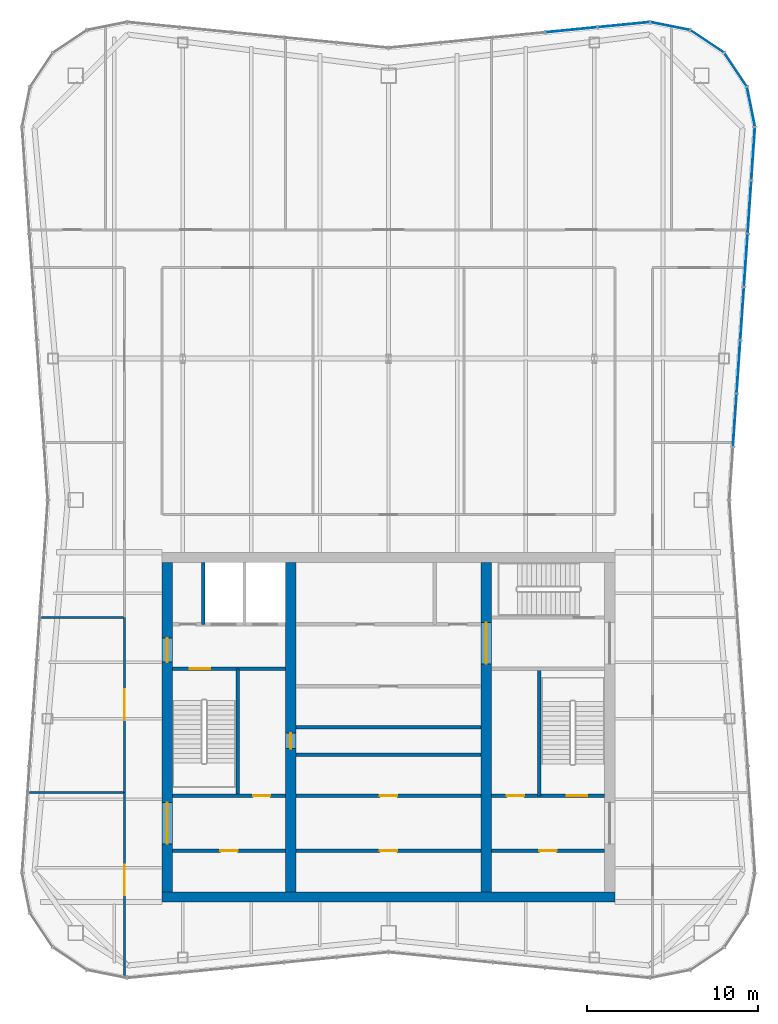
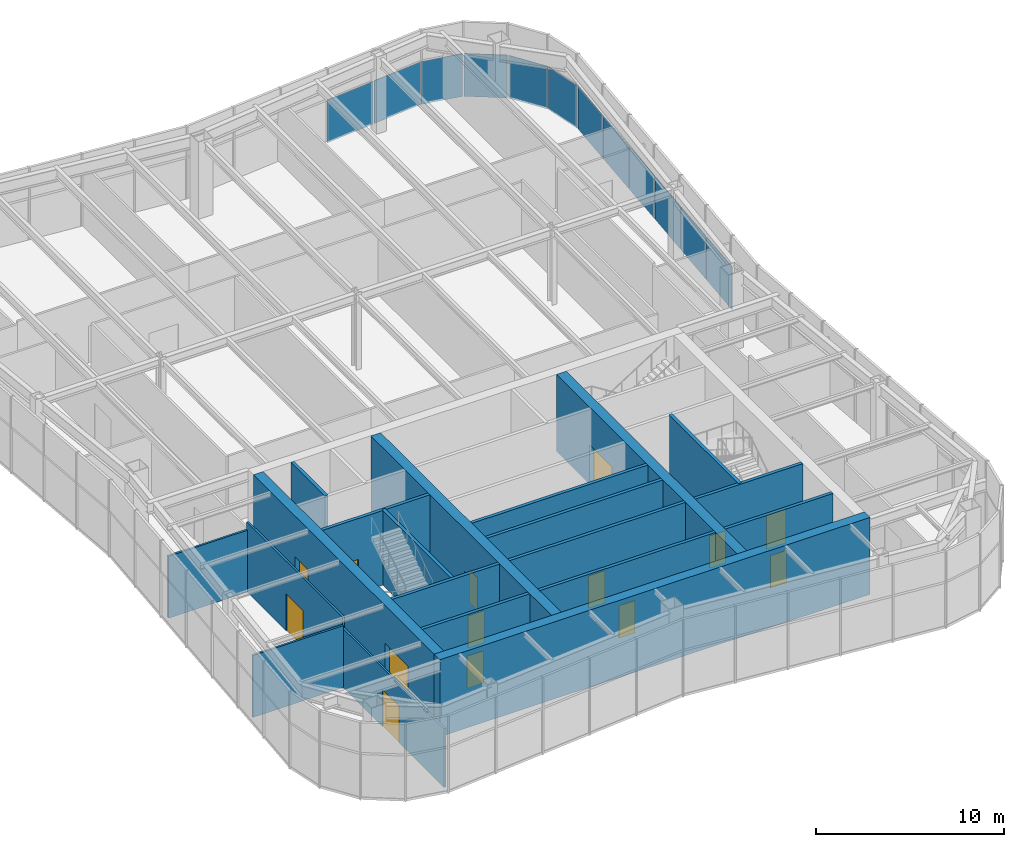
# One storey, part 9 of 13: 20 walls, 14 doors, 12 plates, 14 openings, 3 elements without a shape of their own.
"""IFC4 building model written with IfcOpenShell, lengths in metres."""

from ifc_helpers import new_model, si_unit, direction, frame, frame_2d, origin, origin_2d, place, context, subcontext, project, spatial, rectangle, extrude, material, layer, layer_set, type_object, element, fill, aggregate, save


model = new_model("IFC4")

# Units and contexts
model_context = context("Model", 3, precision=1e-05, world=origin(), true_north=direction((0.0, 1.0)))
body_context = subcontext(model_context, "Body", "Model", "MODEL_VIEW")
ifc_project = project(units=[si_unit("LENGTHUNIT", "METRE"), si_unit("AREAUNIT", "SQUARE_METRE"), si_unit("VOLUMEUNIT", "CUBIC_METRE"), si_unit("PLANEANGLEUNIT", "RADIAN"), si_unit("MASSUNIT", "GRAM", prefix="KILO")], contexts=[model_context])

# Site, building, storey
site_placement = place(None, origin())
site = spatial("IfcSite", under=ifc_project, at=site_placement, CompositionType="ELEMENT")
building_placement = place(site_placement, origin())
building = spatial("IfcBuilding", under=site, at=building_placement, Name="Verdant Reach Tower", CompositionType="ELEMENT")
storey_placement = place(building_placement, frame((0.0, 0.0, 349.5)))
storey = spatial("IfcBuildingStorey", under=building, at=storey_placement, Name="L79 Plant", CompositionType="ELEMENT", Elevation=349.5)

# Curtain wall, plates
ifc_material_1 = material(Name="Anodised aluminium", Category="aluminium")
curtain_wall_type = type_object("IfcCurtainWallType", Name="EN-CW SYSTEM PLANT", PredefinedType="NOTDEFINED", material=ifc_material_1)
curtain_wall_1_placement = place(storey_placement, origin())
curtain_wall_1 = element("IfcCurtainWall", 1, at=curtain_wall_1_placement, inside=storey, type_object=curtain_wall_type, Name="Curtain wall east, L79", PredefinedType="NOTDEFINED")
ifc_material_2 = material(Name="Bronze anodised aluminium solid panel", Category="aluminium")
ifc_layer_1 = layer(ifc_material_2, 0.0400390625)
ifc_layer_set_1 = layer_set([ifc_layer_1], Name="EN-PANEL SOLID")
plate_type = type_object("IfcPlateType", Name="EN-PANEL SOLID", PredefinedType="CURTAIN_PANEL", material=ifc_layer_set_1)
plate_1_placement = place(storey_placement, frame((20.190185546875, 45.902587890625, -0.199951171875), z_axis=(0.0, 0.0, 1.0), x_axis=(0.068802091615, 0.997630328423, 0.0)))
plate_1 = element("IfcPlate", 2, at=plate_1_placement, type_object=plate_type, Name="Solid panel east face part 2 2.1, L79", PredefinedType="CURTAIN_PANEL", context=body_context, shape_type="SweptSolid", body=[
    extrude(rectangle(XDim=3.03857421875, YDim=0.0400390625, at=origin_2d()), origin(), (0.0, 0.0, 1.0), 2.77490234375),
])
plate_2_placement = place(storey_placement, frame((20.404541015625, 49.009765625, -0.199951171875), z_axis=(0.0, 0.0, 1.0), x_axis=(0.068802091615, 0.997630328423, 0.0)))
plate_2 = element("IfcPlate", 3, at=plate_2_placement, type_object=plate_type, Name="Solid panel east face part 2 3.1, L79", PredefinedType="CURTAIN_PANEL", context=body_context, shape_type="SweptSolid", body=[
    extrude(rectangle(XDim=3.03857421875, YDim=0.0400390625, at=origin_2d()), origin(), (0.0, 0.0, 1.0), 2.77490234375),
])
plate_3_placement = place(storey_placement, frame((20.61865234375, 52.11669921875, -0.199951171875), z_axis=(0.0, 0.0, 1.0), x_axis=(0.068802091615, 0.997630328423, 0.0)))
plate_3 = element("IfcPlate", 4, at=plate_3_placement, type_object=plate_type, Name="Solid panel east face part 2 4.1, L79", PredefinedType="CURTAIN_PANEL", context=body_context, shape_type="SweptSolid", body=[
    extrude(rectangle(XDim=3.03857421875, YDim=0.0400390625, at=origin_2d()), origin(), (0.0, 0.0, 1.0), 2.77490234375),
])
plate_4_placement = place(storey_placement, frame((20.8330078125, 55.223876953125, -0.199951171875), z_axis=(0.0, 0.0, 1.0), x_axis=(0.068802091615, 0.997630328423, 0.0)))
plate_4 = element("IfcPlate", 5, at=plate_4_placement, type_object=plate_type, Name="Solid panel east face part 2 5.1, L79", PredefinedType="CURTAIN_PANEL", context=body_context, shape_type="SweptSolid", body=[
    extrude(rectangle(XDim=3.03857421875, YDim=0.0400390625, at=origin_2d()), origin(), (0.0, 0.0, 1.0), 2.77490234375),
])
plate_5_placement = place(storey_placement, frame((21.04736328125, 58.3310546875, -0.199951171875), z_axis=(0.0, 0.0, 1.0), x_axis=(0.068802091615, 0.997630328423, 0.0)))
plate_5 = element("IfcPlate", 6, at=plate_5_placement, type_object=plate_type, Name="Solid panel east face part 2 6.1, L79", PredefinedType="CURTAIN_PANEL", context=body_context, shape_type="SweptSolid", body=[
    extrude(rectangle(XDim=3.03857421875, YDim=0.0400390625, at=origin_2d()), origin(), (0.0, 0.0, 1.0), 2.77490234375),
])
plate_6_placement = place(storey_placement, frame((21.261474609375, 61.446044921875, -0.199951171875), z_axis=(0.0, 0.0, 1.0), x_axis=(0.068469163133, 0.997653233193, 0.0)))
plate_6 = element("IfcPlate", 7, at=plate_6_placement, type_object=plate_type, Name="Solid panel east face part 2 7.1, L79", PredefinedType="CURTAIN_PANEL", context=body_context, shape_type="SweptSolid", body=[
    extrude(rectangle(XDim=3.05419921875, YDim=0.0400390625, at=origin_2d()), origin(), (0.0, 0.0, 1.0), 2.77490234375),
])
aggregate(curtain_wall_1, [plate_1, plate_2, plate_3, plate_4, plate_5, plate_6])

curtain_wall_2_placement = place(storey_placement, origin())
curtain_wall_2 = element("IfcCurtainWall", 8, at=curtain_wall_2_placement, inside=storey, type_object=curtain_wall_type, Name="Curtain wall north-east corner, L79", PredefinedType="NOTDEFINED")
plate_7_placement = place(storey_placement, frame((21.135986328125, 64.174560546875, -0.199951171875), z_axis=(0.0, 0.0, 1.0), x_axis=(-0.195592962334, 0.980685165119, 0.0)))
plate_7 = element("IfcPlate", 9, at=plate_7_placement, type_object=plate_type, Name="Solid panel north-east corner 1.1, L79", PredefinedType="CURTAIN_PANEL", context=body_context, shape_type="SweptSolid", body=[
    extrude(rectangle(XDim=2.303955078125, YDim=0.0400390625, at=origin_2d()), origin(), (0.0, 0.0, 1.0), 2.77490234375),
])
plate_8_placement = place(storey_placement, frame((20.239990234375, 66.334228515625, -0.199951171875), z_axis=(0.0, 0.0, 1.0), x_axis=(-0.555596466265, 0.83145208321, 0.0)))
plate_8 = element("IfcPlate", 10, at=plate_8_placement, type_object=plate_type, Name="Solid panel north-east corner 2.1, L79", PredefinedType="CURTAIN_PANEL", context=body_context, shape_type="SweptSolid", body=[
    extrude(rectangle(XDim=2.3115234375, YDim=0.0400390625, at=origin_2d()), origin(), (0.0, 0.0, 1.0), 2.77490234375),
])
plate_9_placement = place(storey_placement, frame((18.584228515625, 67.989990234375, -0.199951171875), z_axis=(0.0, 0.0, 1.0), x_axis=(-0.83145208321, 0.555596466265, 0.0)))
plate_9 = element("IfcPlate", 11, at=plate_9_placement, type_object=plate_type, Name="Solid panel north-east corner 3.1, L79", PredefinedType="CURTAIN_PANEL", context=body_context, shape_type="SweptSolid", body=[
    extrude(rectangle(XDim=2.3115234375, YDim=0.0400390625, at=origin_2d()), origin(), (0.0, 0.0, 1.0), 2.77490234375),
])
plate_10_placement = place(storey_placement, frame((16.423828125, 68.885986328125, -0.199951171875), z_axis=(0.0, 0.0, 1.0), x_axis=(-0.980705120874, 0.195492879387, 0.0)))
plate_10 = element("IfcPlate", 12, at=plate_10_placement, type_object=plate_type, Name="Solid panel north-east corner 4.1, L79", PredefinedType="CURTAIN_PANEL", context=body_context, shape_type="SweptSolid", body=[
    extrude(rectangle(XDim=2.3056640625, YDim=0.0400390625, at=origin_2d()), origin(), (0.0, 0.0, 1.0), 2.77490234375),
])
aggregate(curtain_wall_2, [plate_7, plate_8, plate_9, plate_10])

curtain_wall_3_placement = place(storey_placement, origin())
curtain_wall_3 = element("IfcCurtainWall", 13, at=curtain_wall_3_placement, inside=storey, type_object=curtain_wall_type, Name="Curtain wall north, L79", PredefinedType="NOTDEFINED")
plate_11_placement = place(storey_placement, frame((13.72216796875, 68.96875, -0.199951171875), z_axis=(0.0, 0.0, 1.0), x_axis=(-0.995238191716, -0.097472774402, 0.0)))
plate_11 = element("IfcPlate", 14, at=plate_11_placement, type_object=plate_type, Name="Solid panel north face part 1 1.1, L79", PredefinedType="CURTAIN_PANEL", context=body_context, shape_type="SweptSolid", body=[
    extrude(rectangle(XDim=3.006103515625, YDim=0.0400390625, at=origin_2d()), origin(), (0.0, 0.0, 1.0), 2.77490234375),
])
plate_12_placement = place(storey_placement, frame((10.663330078125, 68.66845703125, -0.199951171875), z_axis=(0.0, 0.0, 1.0), x_axis=(-0.995197410875, -0.09788826992, 0.0)))
plate_12 = element("IfcPlate", 15, at=plate_12_placement, type_object=plate_type, Name="Solid panel north face part 1 2.1, L79", PredefinedType="CURTAIN_PANEL", context=body_context, shape_type="SweptSolid", body=[
    extrude(rectangle(XDim=2.98876953125, YDim=0.0400390625, at=origin_2d()), origin(), (0.0, 0.0, 1.0), 2.77490234375),
])
aggregate(curtain_wall_3, [plate_11, plate_12])

# Wall, opening, door
ifc_material_3 = material(Name="Gypsum board on steel studs", Category="steel")
ifc_layer_2 = layer(ifc_material_3, 0.199951171875)
ifc_layer_set_2 = layer_set([ifc_layer_2], Name="CO-WALL-ROOM")
wall_type_1 = type_object("IfcWallType", Name="CO-WALL-ROOM", PredefinedType="PARTITIONING", material=ifc_layer_set_2)
wall_1_placement = place(storey_placement, frame((-12.60009765625, 20.800048828125, 0.0), z_axis=(0.0, 0.0, 1.0), x_axis=(1.0, 0.0, 0.0)))
wall_1 = element("IfcWall", 16, at=wall_1_placement, inside=storey, type_object=wall_type_1, Name="Core partition, L79 Plant", PredefinedType="PARTITIONING", context=body_context, shape_type="SweptSolid", body=[
    extrude(rectangle(XDim=6.60009765625, YDim=0.199951171875, at=frame_2d((3.300048828125, 0.0))), origin(), (0.0, 0.0, 1.0), 4.85009765625),
])
opening_1_placement = place(wall_1_placement, frame((2.800048828125, 0.0, 0.0)))
opening_1 = element("IfcOpeningElement", 17, at=opening_1_placement, cuts=wall_1, Name="Opening CD", PredefinedType="OPENING", context=body_context, shape_type="SweptSolid", body=[
    extrude(rectangle(XDim=1.0, YDim=2.10009765625, at=frame_2d((0.5, 1.050048828125))), frame((0.0, 0.10986328125, 0.0), z_axis=(0.0, -1.0, 0.0), x_axis=(1.0, 0.0, 0.0)), (0.0, 0.0, 1.0), 0.219970703125),
])
ifc_material_4 = material(Name="Timber", Category="wood")
door_type_1 = type_object("IfcDoorType", Name="CO-DOOR-ROOM", OperationType="NOTDEFINED", PredefinedType="DOOR", material=ifc_material_4)
door_1_placement = place(opening_1_placement, origin())
door_1 = element("IfcDoor", 18, at=door_1_placement, inside=storey, type_object=door_type_1, Name="Core room door, L79 Plant", OperationType="SINGLE_SWING_RIGHT", OverallHeight=2.10009765625, OverallWidth=1.0, PredefinedType="DOOR", context=body_context, shape_type="SweptSolid", body=[
    extrude(rectangle(XDim=1.0, YDim=2.10009765625, at=frame_2d((0.5, 1.050048828125))), frame((0.0, 0.02490234375, 0.0), z_axis=(0.0, -1.0, 0.0), x_axis=(1.0, 0.0, 0.0)), (0.0, 0.0, 1.0), 0.050048828125),
])
fill(opening_1, door_1)

wall_2_placement = place(storey_placement, frame((-5.39990234375, 20.800048828125, 0.0), z_axis=(0.0, 0.0, 1.0), x_axis=(1.0, 0.0, 0.0)))
wall_2 = element("IfcWall", 19, at=wall_2_placement, inside=storey, type_object=wall_type_1, Name="Core partition, L79 Plant", PredefinedType="PARTITIONING", context=body_context, shape_type="SweptSolid", body=[
    extrude(rectangle(XDim=10.7998046875, YDim=0.199951171875, at=frame_2d((5.39990234375, 0.0))), origin(), (0.0, 0.0, 1.0), 4.85009765625),
])
opening_2_placement = place(wall_2_placement, frame((4.89990234375, 0.0, 0.0)))
opening_2 = element("IfcOpeningElement", 20, at=opening_2_placement, cuts=wall_2, Name="Opening CD", PredefinedType="OPENING", context=body_context, shape_type="SweptSolid", body=[
    extrude(rectangle(XDim=1.0, YDim=2.10009765625, at=frame_2d((0.5, 1.050048828125))), frame((0.0, 0.10986328125, 0.0), z_axis=(0.0, -1.0, 0.0), x_axis=(1.0, 0.0, 0.0)), (0.0, 0.0, 1.0), 0.219970703125),
])
door_2_placement = place(opening_2_placement, origin())
door_2 = element("IfcDoor", 21, at=door_2_placement, inside=storey, type_object=door_type_1, Name="Core room door, L79 Plant", OperationType="SINGLE_SWING_LEFT", OverallHeight=2.10009765625, OverallWidth=1.0, PredefinedType="DOOR", context=body_context, shape_type="SweptSolid", body=[
    extrude(rectangle(XDim=1.0, YDim=2.10009765625, at=frame_2d((0.5, 1.050048828125))), frame((0.0, 0.02490234375, 0.0), z_axis=(0.0, -1.0, 0.0), x_axis=(1.0, 0.0, 0.0)), (0.0, 0.0, 1.0), 0.050048828125),
])
fill(opening_2, door_2)

wall_3_placement = place(storey_placement, frame((6.0, 20.800048828125, 0.0), z_axis=(0.0, 0.0, 1.0), x_axis=(1.0, 0.0, 0.0)))
wall_3 = element("IfcWall", 22, at=wall_3_placement, inside=storey, type_object=wall_type_1, Name="Core partition, L79 Plant", PredefinedType="PARTITIONING", context=body_context, shape_type="SweptSolid", body=[
    extrude(rectangle(XDim=6.60009765625, YDim=0.199951171875, at=frame_2d((3.300048828125, 0.0))), origin(), (0.0, 0.0, 1.0), 4.85009765625),
])
opening_3_placement = place(wall_3_placement, frame((2.800048828125, 0.0, 0.0)))
opening_3 = element("IfcOpeningElement", 23, at=opening_3_placement, cuts=wall_3, Name="Opening CD", PredefinedType="OPENING", context=body_context, shape_type="SweptSolid", body=[
    extrude(rectangle(XDim=1.0, YDim=2.10009765625, at=frame_2d((0.5, 1.050048828125))), frame((0.0, 0.10986328125, 0.0), z_axis=(0.0, -1.0, 0.0), x_axis=(1.0, 0.0, 0.0)), (0.0, 0.0, 1.0), 0.219970703125),
])
door_3_placement = place(opening_3_placement, origin())
door_3 = element("IfcDoor", 24, at=door_3_placement, inside=storey, type_object=door_type_1, Name="Core room door, L79 Plant", OperationType="SINGLE_SWING_LEFT", OverallHeight=2.10009765625, OverallWidth=1.0, PredefinedType="DOOR", context=body_context, shape_type="SweptSolid", body=[
    extrude(rectangle(XDim=1.0, YDim=2.10009765625, at=frame_2d((0.5, 1.050048828125))), frame((0.0, 0.02490234375, 0.0), z_axis=(0.0, -1.0, 0.0), x_axis=(1.0, 0.0, 0.0)), (0.0, 0.0, 1.0), 0.050048828125),
])
fill(opening_3, door_3)

wall_4_placement = place(storey_placement, frame((-5.39990234375, 24.0, 0.0), z_axis=(0.0, 0.0, 1.0), x_axis=(1.0, 0.0, 0.0)))
wall_4 = element("IfcWall", 25, at=wall_4_placement, inside=storey, type_object=wall_type_1, Name="Core partition, L79 Plant", PredefinedType="PARTITIONING", context=body_context, shape_type="SweptSolid", body=[
    extrude(rectangle(XDim=10.7998046875, YDim=0.199951171875, at=frame_2d((5.39990234375, 0.0))), origin(), (0.0, 0.0, 1.0), 4.85009765625),
])
opening_4_placement = place(wall_4_placement, frame((4.89990234375, 0.0, 0.0)))
opening_4 = element("IfcOpeningElement", 26, at=opening_4_placement, cuts=wall_4, Name="Opening CD", PredefinedType="OPENING", context=body_context, shape_type="SweptSolid", body=[
    extrude(rectangle(XDim=1.0, YDim=2.10009765625, at=frame_2d((0.5, 1.050048828125))), frame((0.0, 0.10986328125, 0.0), z_axis=(0.0, -1.0, 0.0), x_axis=(1.0, 0.0, 0.0)), (0.0, 0.0, 1.0), 0.219970703125),
])
door_4_placement = place(opening_4_placement, origin())
door_4 = element("IfcDoor", 27, at=door_4_placement, inside=storey, type_object=door_type_1, Name="Core room door, L79 Plant", OperationType="SINGLE_SWING_RIGHT", OverallHeight=2.10009765625, OverallWidth=1.0, PredefinedType="DOOR", context=body_context, shape_type="SweptSolid", body=[
    extrude(rectangle(XDim=1.0, YDim=2.10009765625, at=frame_2d((0.5, 1.050048828125))), frame((0.0, 0.02490234375, 0.0), z_axis=(0.0, -1.0, 0.0), x_axis=(1.0, 0.0, 0.0)), (0.0, 0.0, 1.0), 0.050048828125),
])
fill(opening_4, door_4)

# Walls
for number, where, z_axis, x_axis, name in (
    (28, (-5.39990234375, 26.39990234375, 0.0), (0.0, 0.0, 1.0), (1.0, 0.0, 0.0), "Core partition, L79 Plant"),
    (29, (-5.39990234375, 28.0, 0.0), (0.0, 0.0, 1.0), (1.0, 0.0, 0.0), "Core partition, L79 Plant"),
):
    element("IfcWall", number, at=place(storey_placement, frame(where, z_axis=z_axis, x_axis=x_axis)), inside=storey, type_object=wall_type_1, Name=name, PredefinedType="PARTITIONING", context=body_context, shape_type="SweptSolid", body=[
        extrude(rectangle(XDim=10.7998046875, YDim=0.199951171875, at=frame_2d((5.39990234375, 0.0))), origin(), (0.0, 0.0, 1.0), 4.85009765625),
    ])
ifc_material_5 = material(Name="Concrete C40/50", Category="concrete")
ifc_layer_3 = layer(ifc_material_5, 0.199951171875)
ifc_layer_set_3 = layer_set([ifc_layer_3], Name="CO-WALL-SHAFT")
wall_type_2 = type_object("IfcWallType", Name="CO-WALL-SHAFT", PredefinedType="PARTITIONING", material=ifc_layer_set_3)
wall_5_placement = place(storey_placement, frame((-10.800048828125, 34.0, 0.0), z_axis=(0.0, 0.0, 1.0), x_axis=(0.0, 1.0, 0.0)))
element("IfcWall", 30, at=wall_5_placement, inside=storey, type_object=wall_type_2, Name="Lift shaft wall, L79 Plant", PredefinedType="PARTITIONING", context=body_context, shape_type="SweptSolid", body=[
    extrude(rectangle(XDim=3.60009765625, YDim=0.199951171875, at=frame_2d((1.800048828125, 0.0))), origin(), (0.0, 0.0, 1.0), 4.85009765625),
])

# Wall, opening, door
ifc_layer_4 = layer(ifc_material_5, 0.199951171875)
ifc_layer_set_4 = layer_set([ifc_layer_4], Name="CO-WALL-STAIR")
wall_type_3 = type_object("IfcWallType", Name="CO-WALL-STAIR", PredefinedType="PARTITIONING", material=ifc_layer_set_4)
wall_6_placement = place(storey_placement, frame((-12.60009765625, 24.0, 0.0), z_axis=(0.0, 0.0, 1.0), x_axis=(1.0, 0.0, 0.0)))
wall_6 = element("IfcWall", 31, at=wall_6_placement, inside=storey, type_object=wall_type_3, Name="Stair enclosure wall, L79 Plant", PredefinedType="PARTITIONING", context=body_context, shape_type="SweptSolid", body=[
    extrude(rectangle(XDim=6.60009765625, YDim=0.199951171875, at=frame_2d((3.300048828125, 0.0))), origin(), (0.0, 0.0, 1.0), 4.85009765625),
])
opening_5_placement = place(wall_6_placement, frame((4.699951171875, 0.0, 0.0)))
opening_5 = element("IfcOpeningElement", 32, at=opening_5_placement, cuts=wall_6, Name="Opening CD", PredefinedType="OPENING", context=body_context, shape_type="SweptSolid", body=[
    extrude(rectangle(XDim=1.0, YDim=2.10009765625, at=frame_2d((0.5, 1.050048828125))), frame((0.0, 0.10986328125, 0.0), z_axis=(0.0, -1.0, 0.0), x_axis=(1.0, 0.0, 0.0)), (0.0, 0.0, 1.0), 0.219970703125),
])
door_5_placement = place(opening_5_placement, origin())
door_5 = element("IfcDoor", 33, at=door_5_placement, inside=storey, type_object=door_type_1, Name="Core room door, L79 Plant", OperationType="SINGLE_SWING_LEFT", OverallHeight=2.10009765625, OverallWidth=1.0, PredefinedType="DOOR", context=body_context, shape_type="SweptSolid", body=[
    extrude(rectangle(XDim=1.0, YDim=2.10009765625, at=frame_2d((0.5, 1.050048828125))), frame((0.0, 0.02490234375, 0.0), z_axis=(0.0, -1.0, 0.0), x_axis=(1.0, 0.0, 0.0)), (0.0, 0.0, 1.0), 0.050048828125),
])
fill(opening_5, door_5)

# Wall, openings, doors
wall_7_placement = place(storey_placement, frame((6.0, 24.0, 0.0), z_axis=(0.0, 0.0, 1.0), x_axis=(1.0, 0.0, 0.0)))
wall_7 = element("IfcWall", 34, at=wall_7_placement, inside=storey, type_object=wall_type_3, Name="Stair enclosure wall, L79 Plant", PredefinedType="PARTITIONING", context=body_context, shape_type="SweptSolid", body=[
    extrude(rectangle(XDim=6.60009765625, YDim=0.199951171875, at=frame_2d((3.300048828125, 0.0))), origin(), (0.0, 0.0, 1.0), 4.85009765625),
])
opening_6_placement = place(wall_7_placement, frame((0.89990234375, 0.0, 0.0)))
opening_6 = element("IfcOpeningElement", 35, at=opening_6_placement, cuts=wall_7, Name="Opening CD", PredefinedType="OPENING", context=body_context, shape_type="SweptSolid", body=[
    extrude(rectangle(XDim=1.0, YDim=2.10009765625, at=frame_2d((0.5, 1.050048828125))), frame((0.0, 0.10986328125, 0.0), z_axis=(0.0, -1.0, 0.0), x_axis=(1.0, 0.0, 0.0)), (0.0, 0.0, 1.0), 0.219970703125),
])
opening_7_placement = place(wall_7_placement, frame((4.39990234375, 0.0, 0.0)))
opening_7 = element("IfcOpeningElement", 36, at=opening_7_placement, cuts=wall_7, Name="Opening SD", PredefinedType="OPENING", context=body_context, shape_type="SweptSolid", body=[
    extrude(rectangle(XDim=1.199951171875, YDim=2.199951171875, at=frame_2d((0.60009765625, 1.10009765625))), frame((0.0, 0.10986328125, 0.0), z_axis=(0.0, -1.0, 0.0), x_axis=(1.0, 0.0, 0.0)), (0.0, 0.0, 1.0), 0.219970703125),
])
door_6_placement = place(opening_6_placement, origin())
door_6 = element("IfcDoor", 37, at=door_6_placement, inside=storey, type_object=door_type_1, Name="Core room door, L79 Plant", OperationType="SINGLE_SWING_RIGHT", OverallHeight=2.10009765625, OverallWidth=1.0, PredefinedType="DOOR", context=body_context, shape_type="SweptSolid", body=[
    extrude(rectangle(XDim=1.0, YDim=2.10009765625, at=frame_2d((0.5, 1.050048828125))), frame((0.0, 0.02490234375, 0.0), z_axis=(0.0, -1.0, 0.0), x_axis=(1.0, 0.0, 0.0)), (0.0, 0.0, 1.0), 0.050048828125),
])
fill(opening_6, door_6)
ifc_material_6 = material(Name="Steel", Category="steel")
door_type_2 = type_object("IfcDoorType", Name="CO-DOOR-STAIR", OperationType="NOTDEFINED", PredefinedType="DOOR", material=ifc_material_6)
door_7_placement = place(opening_7_placement, origin())
door_7 = element("IfcDoor", 38, at=door_7_placement, inside=storey, type_object=door_type_2, Name="Stair door, L79 Plant", OperationType="SINGLE_SWING_RIGHT", OverallHeight=2.199951171875, OverallWidth=1.199951171875, PredefinedType="DOOR", context=body_context, shape_type="SweptSolid", body=[
    extrude(rectangle(XDim=1.199951171875, YDim=2.199951171875, at=frame_2d((0.60009765625, 1.10009765625))), frame((0.0, 0.02490234375, 0.0), z_axis=(0.0, -1.0, 0.0), x_axis=(1.0, 0.0, 0.0)), (0.0, 0.0, 1.0), 0.050048828125),
])
fill(opening_7, door_7)

# Wall, opening, door
wall_8_placement = place(storey_placement, frame((-12.60009765625, 31.39990234375, 0.0), z_axis=(0.0, 0.0, 1.0), x_axis=(1.0, 0.0, 0.0)))
wall_8 = element("IfcWall", 39, at=wall_8_placement, inside=storey, type_object=wall_type_3, Name="Stair enclosure wall, L79 Plant", PredefinedType="PARTITIONING", context=body_context, shape_type="SweptSolid", body=[
    extrude(rectangle(XDim=6.60009765625, YDim=0.199951171875, at=frame_2d((3.300048828125, 0.0))), origin(), (0.0, 0.0, 1.0), 4.85009765625),
])
opening_8_placement = place(wall_8_placement, frame((1.0, 0.0, 0.0)))
opening_8 = element("IfcOpeningElement", 40, at=opening_8_placement, cuts=wall_8, Name="Opening SD", PredefinedType="OPENING", context=body_context, shape_type="SweptSolid", body=[
    extrude(rectangle(XDim=1.199951171875, YDim=2.199951171875, at=frame_2d((0.60009765625, 1.10009765625))), frame((0.0, 0.10986328125, 0.0), z_axis=(0.0, -1.0, 0.0), x_axis=(1.0, 0.0, 0.0)), (0.0, 0.0, 1.0), 0.219970703125),
])
door_8_placement = place(opening_8_placement, origin())
door_8 = element("IfcDoor", 41, at=door_8_placement, inside=storey, type_object=door_type_2, Name="Stair door, L79 Plant", OperationType="SINGLE_SWING_LEFT", OverallHeight=2.199951171875, OverallWidth=1.199951171875, PredefinedType="DOOR", context=body_context, shape_type="SweptSolid", body=[
    extrude(rectangle(XDim=1.199951171875, YDim=2.199951171875, at=frame_2d((0.60009765625, 1.10009765625))), frame((0.0, 0.02490234375, 0.0), z_axis=(0.0, -1.0, 0.0), x_axis=(1.0, 0.0, 0.0)), (0.0, 0.0, 1.0), 0.050048828125),
])
fill(opening_8, door_8)

# Walls
for number, where, z_axis, x_axis, name in (
    (42, (-8.800048828125, 24.0, 0.0), (0.0, 0.0, 1.0), (0.0, 1.0, 0.0), "Stair enclosure wall, L79 Plant"),
    (43, (8.800048828125, 24.0, 0.0), (0.0, 0.0, 1.0), (0.0, 1.0, 0.0), "Stair enclosure wall, L79 Plant"),
):
    element("IfcWall", number, at=place(storey_placement, frame(where, z_axis=z_axis, x_axis=x_axis)), inside=storey, type_object=wall_type_3, Name=name, PredefinedType="PARTITIONING", context=body_context, shape_type="SweptSolid", body=[
        extrude(rectangle(XDim=7.39990234375, YDim=0.199951171875, at=frame_2d((3.699951171875, 0.0))), origin(), (0.0, 0.0, 1.0), 4.85009765625),
    ])
ifc_material_7 = material(Name="Concrete C70/85", Category="concrete")
ifc_layer_5 = layer(ifc_material_7, 0.60009765625)
ifc_layer_set_5 = layer_set([ifc_layer_5], Name="ST-CORE-WALL-600")
wall_type_4 = type_object("IfcWallType", Name="ST-CORE-WALL-600", PredefinedType="SHEAR", material=ifc_layer_set_5)
wall_9_placement = place(storey_placement, frame((-13.199951171875, 18.10009765625, -0.14990234375), z_axis=(0.0, 0.0, 1.0), x_axis=(1.0, 0.0, 0.0)))
element("IfcWall", 44, at=wall_9_placement, inside=storey, type_object=wall_type_4, Name="Core wall S, L79 Plant", PredefinedType="SHEAR", context=body_context, shape_type="SweptSolid", body=[
    extrude(rectangle(XDim=26.39990234375, YDim=0.60009765625, at=frame_2d((13.199951171875, 0.0))), origin(), (0.0, 0.0, 1.0), 5.0),
])

# Wall, openings, doors
wall_10_placement = place(storey_placement, frame((-12.89990234375, 18.39990234375, -0.14990234375), z_axis=(0.0, 0.0, 1.0), x_axis=(0.0, 1.0, 0.0)))
wall_10 = element("IfcWall", 45, at=wall_10_placement, inside=storey, type_object=wall_type_4, Name="Core wall W, L79 Plant", PredefinedType="SHEAR", context=body_context, shape_type="SweptSolid", body=[
    extrude(rectangle(XDim=19.2001953125, YDim=0.60009765625, at=frame_2d((9.60009765625, 0.0))), origin(), (0.0, 0.0, 1.0), 5.0),
])
opening_9_placement = place(wall_10_placement, frame((2.800048828125, 0.0, 0.14990234375)))
opening_9 = element("IfcOpeningElement", 46, at=opening_9_placement, cuts=wall_10, Name="Opening LB", PredefinedType="OPENING", context=body_context, shape_type="SweptSolid", body=[
    extrude(rectangle(XDim=2.39990234375, YDim=2.39990234375, at=frame_2d((1.199951171875, 1.199951171875))), frame((0.0, 0.31005859375, 0.0), z_axis=(0.0, -1.0, 0.0), x_axis=(1.0, 0.0, 0.0)), (0.0, 0.0, 1.0), 0.6201171875),
])
opening_10_placement = place(wall_10_placement, frame((13.39990234375, 0.0, 0.14990234375)))
opening_10 = element("IfcOpeningElement", 47, at=opening_10_placement, cuts=wall_10, Name="Opening FL", PredefinedType="OPENING", context=body_context, shape_type="SweptSolid", body=[
    extrude(rectangle(XDim=1.39990234375, YDim=2.199951171875, at=frame_2d((0.699951171875, 1.10009765625))), frame((0.0, 0.31005859375, 0.0), z_axis=(0.0, -1.0, 0.0), x_axis=(1.0, 0.0, 0.0)), (0.0, 0.0, 1.0), 0.6201171875),
])
door_type_3 = type_object("IfcDoorType", Name="CO-DOOR-FFL", OperationType="NOTDEFINED", PredefinedType="DOOR", material=ifc_material_6)
door_9_placement = place(opening_10_placement, origin())
door_9 = element("IfcDoor", 48, at=door_9_placement, inside=storey, type_object=door_type_3, Name="Core entrance door, L79 Plant", OperationType="SINGLE_SWING_LEFT", OverallHeight=2.199951171875, OverallWidth=1.39990234375, PredefinedType="DOOR", context=body_context, shape_type="SweptSolid", body=[
    extrude(rectangle(XDim=1.39990234375, YDim=2.199951171875, at=frame_2d((0.699951171875, 1.10009765625))), frame((0.0, 0.02490234375, 0.0), z_axis=(0.0, -1.0, 0.0), x_axis=(1.0, 0.0, 0.0)), (0.0, 0.0, 1.0), 0.050048828125),
])
fill(opening_10, door_9)
ifc_material_8 = material(Name="Glass and steel", Category="steel")
door_type_4 = type_object("IfcDoorType", Name="CO-DOOR-LOBBY", OperationType="DOUBLE_DOOR_SINGLE_SWING", PredefinedType="DOOR", material=ifc_material_8)
door_10_placement = place(opening_9_placement, origin())
door_10 = element("IfcDoor", 49, at=door_10_placement, inside=storey, type_object=door_type_4, Name="Core entrance door, L79 Plant", OperationType="DOUBLE_DOOR_SINGLE_SWING", OverallHeight=2.39990234375, OverallWidth=2.39990234375, PredefinedType="DOOR", context=body_context, shape_type="SweptSolid", body=[
    extrude(rectangle(XDim=2.39990234375, YDim=2.39990234375, at=frame_2d((1.199951171875, 1.199951171875))), frame((0.0, 0.02490234375, 0.0), z_axis=(0.0, -1.0, 0.0), x_axis=(1.0, 0.0, 0.0)), (0.0, 0.0, 1.0), 0.050048828125),
])
fill(opening_9, door_10)

# Wall, opening, door
wall_11_placement = place(storey_placement, frame((-5.699951171875, 18.39990234375, -0.14990234375), z_axis=(0.0, 0.0, 1.0), x_axis=(0.0, 1.0, 0.0)))
wall_11 = element("IfcWall", 50, at=wall_11_placement, inside=storey, type_object=wall_type_4, Name="Core wall XW, L79 Plant", PredefinedType="SHEAR", context=body_context, shape_type="SweptSolid", body=[
    extrude(rectangle(XDim=19.2001953125, YDim=0.60009765625, at=frame_2d((9.60009765625, 0.0))), origin(), (0.0, 0.0, 1.0), 5.0),
])
opening_11_placement = place(wall_11_placement, frame((8.35009765625, 0.0, 0.14990234375)))
opening_11 = element("IfcOpeningElement", 51, at=opening_11_placement, cuts=wall_11, Name="Opening RD", PredefinedType="OPENING", context=body_context, shape_type="SweptSolid", body=[
    extrude(rectangle(XDim=0.89990234375, YDim=2.10009765625, at=frame_2d((0.449951171875, 1.050048828125))), frame((0.0, 0.31005859375, 0.0), z_axis=(0.0, -1.0, 0.0), x_axis=(1.0, 0.0, 0.0)), (0.0, 0.0, 1.0), 0.6201171875),
])
door_type_5 = type_object("IfcDoorType", Name="CO-DOOR-RISER", OperationType="NOTDEFINED", PredefinedType="DOOR", material=ifc_material_6)
door_11_placement = place(opening_11_placement, origin())
door_11 = element("IfcDoor", 52, at=door_11_placement, inside=storey, type_object=door_type_5, Name="Riser door, L79 Plant", OperationType="SINGLE_SWING_LEFT", OverallHeight=2.10009765625, OverallWidth=0.89990234375, PredefinedType="DOOR", context=body_context, shape_type="SweptSolid", body=[
    extrude(rectangle(XDim=0.89990234375, YDim=2.10009765625, at=frame_2d((0.449951171875, 1.050048828125))), frame((0.0, 0.02490234375, 0.0), z_axis=(0.0, -1.0, 0.0), x_axis=(1.0, 0.0, 0.0)), (0.0, 0.0, 1.0), 0.050048828125),
])
fill(opening_11, door_11)

wall_12_placement = place(storey_placement, frame((5.699951171875, 18.39990234375, -0.14990234375), z_axis=(0.0, 0.0, 1.0), x_axis=(0.0, 1.0, 0.0)))
wall_12 = element("IfcWall", 53, at=wall_12_placement, inside=storey, type_object=wall_type_4, Name="Core wall XE, L79 Plant", PredefinedType="SHEAR", context=body_context, shape_type="SweptSolid", body=[
    extrude(rectangle(XDim=19.2001953125, YDim=0.60009765625, at=frame_2d((9.60009765625, 0.0))), origin(), (0.0, 0.0, 1.0), 5.0),
])
opening_12_placement = place(wall_12_placement, frame((13.300048828125, 0.0, 0.14990234375)))
opening_12 = element("IfcOpeningElement", 54, at=opening_12_placement, cuts=wall_12, Name="Opening LB", PredefinedType="OPENING", context=body_context, shape_type="SweptSolid", body=[
    extrude(rectangle(XDim=2.39990234375, YDim=2.39990234375, at=frame_2d((1.199951171875, 1.199951171875))), frame((0.0, 0.31005859375, 0.0), z_axis=(0.0, -1.0, 0.0), x_axis=(1.0, 0.0, 0.0)), (0.0, 0.0, 1.0), 0.6201171875),
])
door_12_placement = place(opening_12_placement, origin())
door_12 = element("IfcDoor", 55, at=door_12_placement, inside=storey, type_object=door_type_4, Name="Core entrance door, L79 Plant", OperationType="DOUBLE_DOOR_SINGLE_SWING", OverallHeight=2.39990234375, OverallWidth=2.39990234375, PredefinedType="DOOR", context=body_context, shape_type="SweptSolid", body=[
    extrude(rectangle(XDim=2.39990234375, YDim=2.39990234375, at=frame_2d((1.199951171875, 1.199951171875))), frame((0.0, 0.02490234375, 0.0), z_axis=(0.0, -1.0, 0.0), x_axis=(1.0, 0.0, 0.0)), (0.0, 0.0, 1.0), 0.050048828125),
])
fill(opening_12, door_12)

ifc_material_9 = material(Name="Gypsum board on steel studs, fire rated", Category="steel")
ifc_layer_6 = layer(ifc_material_9, 0.125)
ifc_layer_set_6 = layer_set([ifc_layer_6], Name="SV-W2 Plant wall 125 EI 60")
wall_type_5 = type_object("IfcWallType", Name="SV-W2 Plant wall 125 EI 60", PredefinedType="PARTITIONING", material=ifc_layer_set_6)
wall_13_placement = place(storey_placement, frame((-15.39990234375, 24.199951171875, 0.0), z_axis=(0.0, 0.0, 1.0), x_axis=(0.0, -1.0, 0.0)))
wall_13 = element("IfcWall", 56, at=wall_13_placement, inside=storey, type_object=wall_type_5, Name="Partition L79.09", PredefinedType="PARTITIONING", context=body_context, shape_type="SweptSolid", body=[
    extrude(rectangle(XDim=10.750244140625, YDim=0.125, at=frame_2d((5.375, 0.0))), origin(), (0.0, 0.0, 1.0), 3.81201171875),
])
opening_13_placement = place(wall_13_placement, frame((4.20556640625, 0.0, 0.0)))
opening_13 = element("IfcOpeningElement", 57, at=opening_13_placement, cuts=wall_13, Name="Opening SD3", PredefinedType="OPENING", context=body_context, shape_type="SweptSolid", body=[
    extrude(rectangle(XDim=1.800048828125, YDim=2.39990234375, at=frame_2d((0.89990234375, 1.199951171875))), frame((0.0, 0.072509765625, 0.0), z_axis=(0.0, -1.0, 0.0), x_axis=(1.0, 0.0, 0.0)), (0.0, 0.0, 1.0), 0.14501953125),
])
ifc_material_10 = material(Name="Steel door leaves, fire rated", Category="steel")
door_type_6 = type_object("IfcDoorType", Name="SV-D3 Equipment door 1800x2400 FD60", OperationType="DOUBLE_DOOR_SINGLE_SWING", PredefinedType="DOOR", material=ifc_material_10)
door_13_placement = place(opening_13_placement, origin())
door_13 = element("IfcDoor", 58, at=door_13_placement, inside=storey, type_object=door_type_6, Name="Door L79-004", OperationType="DOUBLE_DOOR_SINGLE_SWING", OverallHeight=2.39990234375, OverallWidth=1.800048828125, PredefinedType="DOOR", context=body_context, shape_type="SweptSolid", body=[
    extrude(rectangle(XDim=1.800048828125, YDim=2.39990234375, at=frame_2d((0.89990234375, 1.199951171875))), frame((0.0, 0.02490234375, 0.0), z_axis=(0.0, -1.0, 0.0), x_axis=(1.0, 0.0, 0.0)), (0.0, 0.0, 1.0), 0.050048828125),
])
fill(opening_13, door_13)

wall_14_placement = place(storey_placement, frame((-15.39990234375, 34.39990234375, 0.0), z_axis=(0.0, 0.0, 1.0), x_axis=(0.0, -1.0, 0.0)))
wall_14 = element("IfcWall", 59, at=wall_14_placement, inside=storey, type_object=wall_type_5, Name="Partition L79.10", PredefinedType="PARTITIONING", context=body_context, shape_type="SweptSolid", body=[
    extrude(rectangle(XDim=10.199951171875, YDim=0.125, at=frame_2d((5.10009765625, 0.0))), origin(), (0.0, 0.0, 1.0), 4.52001953125),
])
opening_14_placement = place(wall_14_placement, frame((4.199951171875, 0.0, 0.0)))
opening_14 = element("IfcOpeningElement", 60, at=opening_14_placement, cuts=wall_14, Name="Opening SD3", PredefinedType="OPENING", context=body_context, shape_type="SweptSolid", body=[
    extrude(rectangle(XDim=1.800048828125, YDim=2.39990234375, at=frame_2d((0.89990234375, 1.199951171875))), frame((0.0, 0.072509765625, 0.0), z_axis=(0.0, -1.0, 0.0), x_axis=(1.0, 0.0, 0.0)), (0.0, 0.0, 1.0), 0.14501953125),
])
door_14_placement = place(opening_14_placement, origin())
door_14 = element("IfcDoor", 61, at=door_14_placement, inside=storey, type_object=door_type_6, Name="Door L79-005", OperationType="DOUBLE_DOOR_SINGLE_SWING", OverallHeight=2.39990234375, OverallWidth=1.800048828125, PredefinedType="DOOR", context=body_context, shape_type="SweptSolid", body=[
    extrude(rectangle(XDim=1.800048828125, YDim=2.39990234375, at=frame_2d((0.89990234375, 1.199951171875))), frame((0.0, 0.02490234375, 0.0), z_axis=(0.0, -1.0, 0.0), x_axis=(1.0, 0.0, 0.0)), (0.0, 0.0, 1.0), 0.050048828125),
])
fill(opening_14, door_14)

# Walls
wall_15_placement = place(storey_placement, frame((-21.005859375, 24.199951171875, 0.0), z_axis=(0.0, 0.0, 1.0), x_axis=(1.0, 0.0, 0.0)))
element("IfcWall", 62, at=wall_15_placement, inside=storey, type_object=wall_type_5, Name="Partition L79.26", PredefinedType="PARTITIONING", context=body_context, shape_type="SweptSolid", body=[
    extrude(rectangle(XDim=5.54345703125, YDim=0.125, at=frame_2d((2.771728515625, 0.0))), origin(), (0.0, 0.0, 1.0), 4.02001953125),
])
wall_16_placement = place(storey_placement, frame((-20.302490234375, 34.39990234375, 0.0), z_axis=(0.0, 0.0, 1.0), x_axis=(1.0, 0.0, 0.0)))
element("IfcWall", 63, at=wall_16_placement, inside=storey, type_object=wall_type_5, Name="Partition L79.27", PredefinedType="PARTITIONING", context=body_context, shape_type="SweptSolid", body=[
    extrude(rectangle(XDim=4.840087890625, YDim=0.125, at=frame_2d((2.419921875, 0.0))), origin(), (0.0, 0.0, 1.0), 4.02001953125),
])

save(model, "model.ifc")
